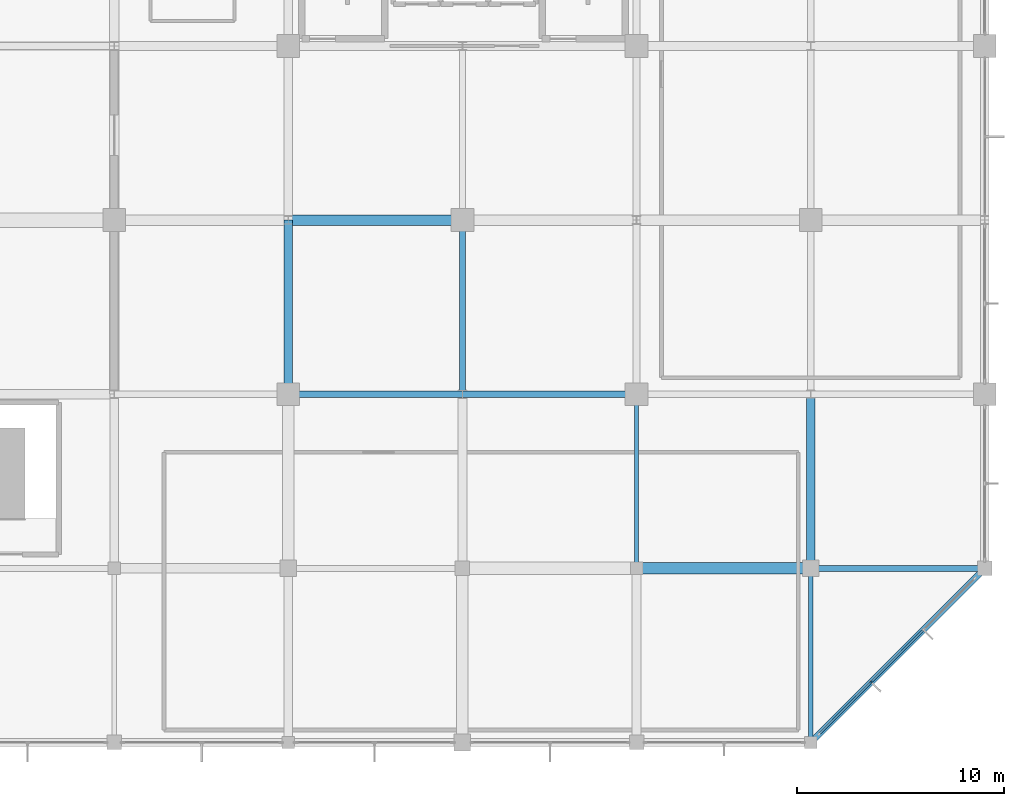
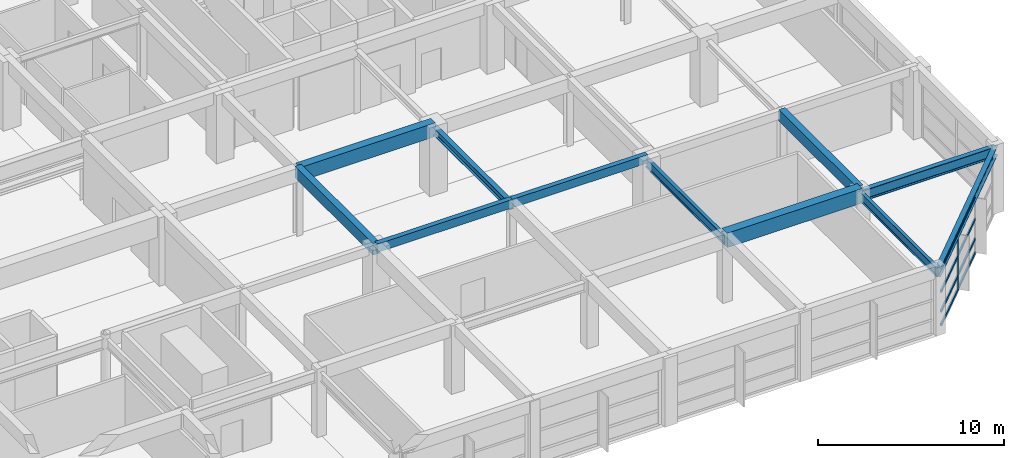
# One storey, part 28 of 56: 11 beams, 9 members, 1 element without a shape of its own.
"""IFC4 building model written with IfcOpenShell, lengths in metres."""

from ifc_helpers import new_model, si_unit, direction, frame, origin, origin_2d, place, context, subcontext, project, spatial, rectangle, i_section, extrude, material, material_profile, profile_set, type_object, element, aggregate, save


model = new_model("IFC4")

# Units and contexts
model_context = context("Model", 3, precision=1e-05, world=origin(), true_north=direction((0.0, 1.0)))
body_context = subcontext(model_context, "Body", "Model", "MODEL_VIEW")
ifc_project = project(units=[si_unit("LENGTHUNIT", "METRE"), si_unit("AREAUNIT", "SQUARE_METRE"), si_unit("VOLUMEUNIT", "CUBIC_METRE"), si_unit("PLANEANGLEUNIT", "RADIAN"), si_unit("MASSUNIT", "GRAM", prefix="KILO")], contexts=[model_context])

# Site, building, storey
site_placement = place(None, origin())
site = spatial("IfcSite", under=ifc_project, at=site_placement, CompositionType="ELEMENT")
building_placement = place(site_placement, origin())
building = spatial("IfcBuilding", under=site, at=building_placement, Name="Xuanlan Plaza Opera House", CompositionType="ELEMENT")
storey_placement = place(building_placement, frame((0.0, 0.0, 18.89990234375)))
storey = spatial("IfcBuildingStorey", under=building, at=storey_placement, Name="L04", CompositionType="ELEMENT", Elevation=18.89990234375)

# Curtain wall, members
ifc_material_1 = material(Name="Anodised Aluminium 6063-T6 and Low-E Glass", Category="aluminium")
curtain_wall_type = type_object("IfcCurtainWallType", Name="ENV-CW-CW-03", PredefinedType="USERDEFINED", material=ifc_material_1)
curtain_wall_placement = place(storey_placement, origin())
curtain_wall = element("IfcCurtainWall", 1, at=curtain_wall_placement, inside=storey, type_object=curtain_wall_type, Name="Unitised Curtain Wall L04-017", ObjectType="UNITISED CURTAIN WALL", PredefinedType="USERDEFINED")
ifc_material_2 = material(Name="Anodised Aluminium 6063-T6", Category="aluminium")
ifc_material_profile_1 = material_profile(ifc_material_2, rectangle(XDim=0.074951171875, YDim=0.199951171875, at=origin_2d()), Name="ALU-M 75x200")
ifc_profile_set_1 = profile_set([ifc_material_profile_1], Name="Anodised Aluminium 6063-T6")
member_type_1 = type_object("IfcMemberType", Name="ENV-CWM-03", PredefinedType="MULLION", material=ifc_profile_set_1)
member_1_placement = place(storey_placement, frame((162.516357421875, 19.71630859375, 0.0), z_axis=(0.0, 0.0, 1.0), x_axis=(-0.707106781187, 0.707106781187, 0.0)))
member_1 = element("IfcMember", 2, at=member_1_placement, type_object=member_type_1, Name="CW-03 mullion 2", PredefinedType="MULLION", context=body_context, shape_type="SweptSolid", body=[
    extrude(rectangle(XDim=0.074951171875, YDim=0.199951171875, at=origin_2d()), origin(), (0.0, 0.0, 1.0), 3.68017578125),
])
ifc_material_profile_2 = material_profile(ifc_material_2, rectangle(XDim=0.090087890625, YDim=0.179931640625, at=origin_2d()), Name="ALU-T 90x180")
ifc_profile_set_2 = profile_set([ifc_material_profile_2], Name="Anodised Aluminium 6063-T6")
member_type_2 = type_object("IfcMemberType", Name="ENV-CWT-05", PredefinedType="USERDEFINED", material=ifc_profile_set_2)
member_2_placement = place(storey_placement, frame((160.052001953125, 17.251953125, 0.045166015625), z_axis=(0.707106781187, 0.707106781187, 0.0), x_axis=(-0.707106781187, 0.707106781187, 0.0)))
member_2 = element("IfcMember", 3, at=member_2_placement, type_object=member_type_2, Name="CW-03 transom 1.1", ObjectType="TRANSOM", PredefinedType="USERDEFINED", context=body_context, shape_type="SweptSolid", body=[
    extrude(rectangle(XDim=0.090087890625, YDim=0.179931640625, at=origin_2d()), origin(), (0.0, 0.0, 1.0), 3.447509765625),
])
member_3_placement = place(storey_placement, frame((160.052001953125, 17.251953125, 0.9501953125), z_axis=(0.707106781187, 0.707106781187, 0.0), x_axis=(-0.707106781187, 0.707106781187, 0.0)))
member_3 = element("IfcMember", 4, at=member_3_placement, type_object=member_type_2, Name="CW-03 transom 1.2", ObjectType="TRANSOM", PredefinedType="USERDEFINED", context=body_context, shape_type="SweptSolid", body=[
    extrude(rectangle(XDim=0.090087890625, YDim=0.179931640625, at=origin_2d()), origin(), (0.0, 0.0, 1.0), 3.447509765625),
])
member_4_placement = place(storey_placement, frame((160.052001953125, 17.251953125, 2.25), z_axis=(0.707106781187, 0.707106781187, 0.0), x_axis=(-0.707106781187, 0.707106781187, 0.0)))
member_4 = element("IfcMember", 5, at=member_4_placement, type_object=member_type_2, Name="CW-03 transom 1.3", ObjectType="TRANSOM", PredefinedType="USERDEFINED", context=body_context, shape_type="SweptSolid", body=[
    extrude(rectangle(XDim=0.090087890625, YDim=0.179931640625, at=origin_2d()), origin(), (0.0, 0.0, 1.0), 3.447509765625),
])
member_5_placement = place(storey_placement, frame((160.052001953125, 17.251953125, 3.635009765625), z_axis=(0.707106781187, 0.707106781187, 0.0), x_axis=(-0.707106781187, 0.707106781187, 0.0)))
member_5 = element("IfcMember", 6, at=member_5_placement, type_object=member_type_2, Name="CW-03 transom 1.4", ObjectType="TRANSOM", PredefinedType="USERDEFINED", context=body_context, shape_type="SweptSolid", body=[
    extrude(rectangle(XDim=0.090087890625, YDim=0.179931640625, at=origin_2d()), origin(), (0.0, 0.0, 1.0), 3.447509765625),
])
member_6_placement = place(storey_placement, frame((162.54296875, 19.742919921875, 0.045166015625), z_axis=(0.707106781187, 0.707106781187, 0.0), x_axis=(-0.707106781187, 0.707106781187, 0.0)))
member_6 = element("IfcMember", 7, at=member_6_placement, type_object=member_type_2, Name="CW-03 transom 2.1", ObjectType="TRANSOM", PredefinedType="USERDEFINED", context=body_context, shape_type="SweptSolid", body=[
    extrude(rectangle(XDim=0.090087890625, YDim=0.179931640625, at=origin_2d()), origin(), (0.0, 0.0, 1.0), 3.48486328125),
])
member_7_placement = place(storey_placement, frame((162.54296875, 19.742919921875, 0.9501953125), z_axis=(0.707106781187, 0.707106781187, 0.0), x_axis=(-0.707106781187, 0.707106781187, 0.0)))
member_7 = element("IfcMember", 8, at=member_7_placement, type_object=member_type_2, Name="CW-03 transom 2.2", ObjectType="TRANSOM", PredefinedType="USERDEFINED", context=body_context, shape_type="SweptSolid", body=[
    extrude(rectangle(XDim=0.090087890625, YDim=0.179931640625, at=origin_2d()), origin(), (0.0, 0.0, 1.0), 3.48486328125),
])
member_8_placement = place(storey_placement, frame((162.54296875, 19.742919921875, 2.25), z_axis=(0.707106781187, 0.707106781187, 0.0), x_axis=(-0.707106781187, 0.707106781187, 0.0)))
member_8 = element("IfcMember", 9, at=member_8_placement, type_object=member_type_2, Name="CW-03 transom 2.3", ObjectType="TRANSOM", PredefinedType="USERDEFINED", context=body_context, shape_type="SweptSolid", body=[
    extrude(rectangle(XDim=0.090087890625, YDim=0.179931640625, at=origin_2d()), origin(), (0.0, 0.0, 1.0), 3.48486328125),
])
member_9_placement = place(storey_placement, frame((162.54296875, 19.742919921875, 3.635009765625), z_axis=(0.707106781187, 0.707106781187, 0.0), x_axis=(-0.707106781187, 0.707106781187, 0.0)))
member_9 = element("IfcMember", 10, at=member_9_placement, type_object=member_type_2, Name="CW-03 transom 2.4", ObjectType="TRANSOM", PredefinedType="USERDEFINED", context=body_context, shape_type="SweptSolid", body=[
    extrude(rectangle(XDim=0.090087890625, YDim=0.179931640625, at=origin_2d()), origin(), (0.0, 0.0, 1.0), 3.48486328125),
])
aggregate(curtain_wall, [member_1, member_2, member_3, member_4, member_5, member_6, member_7, member_8, member_9])

# Beams
ifc_material_3 = material(Name="Concrete C50", Category="concrete")
ifc_material_profile_3 = material_profile(ifc_material_3, rectangle(XDim=0.550048828125, YDim=0.949951171875, at=origin_2d()), Name="RC-BM 550x950")
ifc_profile_set_3 = profile_set([ifc_material_profile_3], Name="Concrete C50")
beam_type_1 = type_object("IfcBeamType", Name="STR-BM-B-02", PredefinedType="BEAM", material=ifc_profile_set_3)
beam_1_placement = place(storey_placement, frame((151.199951171875, 25.199951171875, 4.025146484375), z_axis=(1.0, 0.0, 0.0), x_axis=(0.0, 1.0, 0.0)))
element("IfcBeam", 11, at=beam_1_placement, inside=storey, type_object=beam_type_1, Name="Grid Beam X L04 19-20/D", PredefinedType="BEAM", context=body_context, shape_type="SweptSolid", body=[
    extrude(rectangle(XDim=0.550048828125, YDim=0.949951171875, at=origin_2d()), origin(), (0.0, 0.0, 1.0), 8.400146484375),
])
ifc_material_4 = material(Name="Concrete C40", Category="concrete")
ifc_material_profile_4 = material_profile(ifc_material_4, rectangle(XDim=0.5, YDim=0.89990234375, at=origin_2d()), Name="RC-BM 500x900")
ifc_profile_set_4 = profile_set([ifc_material_profile_4], Name="Concrete C40")
beam_type_2 = type_object("IfcBeamType", Name="STR-BM-B-03", PredefinedType="BEAM", material=ifc_profile_set_4)
beam_2_placement = place(storey_placement, frame((134.39990234375, 42.0, 4.050048828125), z_axis=(1.0, 0.0, 0.0), x_axis=(0.0, 1.0, 0.0)))
element("IfcBeam", 12, at=beam_2_placement, inside=storey, type_object=beam_type_2, Name="Grid Beam X L04 17-18/F", PredefinedType="BEAM", context=body_context, shape_type="SweptSolid", body=[
    extrude(rectangle(XDim=0.5, YDim=0.89990234375, at=origin_2d()), origin(), (0.0, 0.0, 1.0), 8.400146484375),
])
ifc_material_profile_5 = material_profile(ifc_material_4, rectangle(XDim=0.39990234375, YDim=0.75, at=origin_2d()), Name="RC-BM 400x750")
ifc_profile_set_5 = profile_set([ifc_material_profile_5], Name="Concrete C40")
beam_type_3 = type_object("IfcBeamType", Name="STR-BM-B-06", PredefinedType="BEAM", material=ifc_profile_set_5)
beam_3_placement = place(storey_placement, frame((134.39990234375, 33.60009765625, 4.125), z_axis=(0.0, 1.0, 0.0), x_axis=(-1.0, 0.0, 0.0)))
element("IfcBeam", 13, at=beam_3_placement, inside=storey, type_object=beam_type_3, Name="Grid Beam Y L04 17/E-F", PredefinedType="BEAM", context=body_context, shape_type="SweptSolid", body=[
    extrude(rectangle(XDim=0.39990234375, YDim=0.75, at=origin_2d()), origin(), (0.0, 0.0, 1.0), 8.39990234375),
])
beam_4_placement = place(storey_placement, frame((159.60009765625, 25.199951171875, 4.125), z_axis=(0.0, 1.0, 0.0), x_axis=(-1.0, 0.0, 0.0)))
element("IfcBeam", 14, at=beam_4_placement, inside=storey, type_object=beam_type_3, Name="Grid Beam Y L04 20/D-E", PredefinedType="BEAM", context=body_context, shape_type="SweptSolid", body=[
    extrude(rectangle(XDim=0.39990234375, YDim=0.75, at=origin_2d()), origin(), (0.0, 0.0, 1.0), 8.400146484375),
])
ifc_material_profile_6 = material_profile(ifc_material_4, rectangle(XDim=0.300048828125, YDim=0.550048828125, at=origin_2d()), Name="RC-BM 300x550")
ifc_profile_set_6 = profile_set([ifc_material_profile_6], Name="Concrete C40")
beam_type_4 = type_object("IfcBeamType", Name="STR-BM-B-09", PredefinedType="BEAM", material=ifc_profile_set_6)
beam_5_placement = place(storey_placement, frame((134.39990234375, 33.60009765625, 4.22509765625), z_axis=(1.0, 0.0, 0.0), x_axis=(0.0, 1.0, 0.0)))
element("IfcBeam", 15, at=beam_5_placement, inside=storey, type_object=beam_type_4, Name="Grid Beam X L04 17-18/E", PredefinedType="BEAM", context=body_context, shape_type="SweptSolid", body=[
    extrude(rectangle(XDim=0.300048828125, YDim=0.550048828125, at=origin_2d()), origin(), (0.0, 0.0, 1.0), 8.400146484375),
])
beam_6_placement = place(storey_placement, frame((142.800048828125, 33.60009765625, 4.22509765625), z_axis=(1.0, 0.0, 0.0), x_axis=(0.0, 1.0, 0.0)))
element("IfcBeam", 16, at=beam_6_placement, inside=storey, type_object=beam_type_4, Name="Grid Beam X L04 18-19/E", PredefinedType="BEAM", context=body_context, shape_type="SweptSolid", body=[
    extrude(rectangle(XDim=0.300048828125, YDim=0.550048828125, at=origin_2d()), origin(), (0.0, 0.0, 1.0), 8.39990234375),
])
ifc_material_5 = material(Name="Steel Q355B", Category="steel")
ifc_material_profile_7 = material_profile(ifc_material_5, i_section(OverallWidth=0.300048828125, OverallDepth=0.699951171875, WebThickness=0.012939453125, FlangeThickness=0.02392578125, FilletRadius=0.02392578125, at=origin_2d()), Name="HN 700x300x13x24")
ifc_profile_set_7 = profile_set([ifc_material_profile_7], Name="Steel Q355B")
beam_type_5 = type_object("IfcBeamType", Name="STR-BM-SB-03", PredefinedType="BEAM", material=ifc_profile_set_7)
beam_7_placement = place(storey_placement, frame((159.60009765625, 25.199951171875, 3.885009765625), z_axis=(1.0, 0.0, 0.0), x_axis=(0.0, 1.0, 0.0)))
element("IfcBeam", 17, at=beam_7_placement, inside=storey, type_object=beam_type_5, Name="Grid Beam X L04 20-21/D", PredefinedType="BEAM", context=body_context, shape_type="SweptSolid", body=[
    extrude(i_section(OverallWidth=0.300048828125, OverallDepth=0.699951171875, WebThickness=0.012939453125, FlangeThickness=0.02392578125, FilletRadius=0.02392578125, at=origin_2d()), origin(), (0.0, 0.0, 1.0), 8.39990234375),
])
ifc_material_profile_8 = material_profile(ifc_material_5, i_section(OverallWidth=0.199951171875, OverallDepth=0.60009765625, WebThickness=0.010986328125, FlangeThickness=0.01708984375, FilletRadius=0.02197265625, at=origin_2d()), Name="HN 600x200x11x17")
ifc_profile_set_8 = profile_set([ifc_material_profile_8], Name="Steel Q355B")
beam_type_6 = type_object("IfcBeamType", Name="STR-BM-SB-04", PredefinedType="BEAM", material=ifc_profile_set_8)
beam_8_placement = place(storey_placement, frame((151.199951171875, 25.199951171875, 3.93505859375), z_axis=(0.0, 1.0, 0.0), x_axis=(-1.0, 0.0, 0.0)))
element("IfcBeam", 18, at=beam_8_placement, inside=storey, type_object=beam_type_6, Name="Grid Beam Y L04 19/D-E", PredefinedType="BEAM", context=body_context, shape_type="SweptSolid", body=[
    extrude(i_section(OverallWidth=0.199951171875, OverallDepth=0.60009765625, WebThickness=0.010986328125, FlangeThickness=0.01708984375, FilletRadius=0.02197265625, at=origin_2d()), origin(), (0.0, 0.0, 1.0), 8.400146484375),
])
beam_9_placement = place(storey_placement, frame((159.60009765625, 16.800048828125, 3.93505859375), z_axis=(0.0, 1.0, 0.0), x_axis=(-1.0, 0.0, 0.0)))
element("IfcBeam", 19, at=beam_9_placement, inside=storey, type_object=beam_type_6, Name="Grid Beam Y L04 20/C-D", PredefinedType="BEAM", context=body_context, shape_type="SweptSolid", body=[
    extrude(i_section(OverallWidth=0.199951171875, OverallDepth=0.60009765625, WebThickness=0.010986328125, FlangeThickness=0.01708984375, FilletRadius=0.02197265625, at=origin_2d()), origin(), (0.0, 0.0, 1.0), 8.39990234375),
])
ifc_material_profile_9 = material_profile(ifc_material_5, i_section(OverallWidth=0.300048828125, OverallDepth=0.488037109375, WebThickness=0.010986328125, FlangeThickness=0.01806640625, FilletRadius=0.02197265625, at=origin_2d()), Name="HM 488x300x11x18")
ifc_profile_set_9 = profile_set([ifc_material_profile_9], Name="Steel Q355B")
beam_type_7 = type_object("IfcBeamType", Name="STR-BM-SB-07", PredefinedType="BEAM", material=ifc_profile_set_9)
beam_10_placement = place(storey_placement, frame((142.800048828125, 33.60009765625, 3.9912109375), z_axis=(0.0, 1.0, 0.0), x_axis=(-1.0, 0.0, 0.0)))
element("IfcBeam", 20, at=beam_10_placement, inside=storey, type_object=beam_type_7, Name="Grid Beam Y L04 18/E-F", PredefinedType="BEAM", context=body_context, shape_type="SweptSolid", body=[
    extrude(i_section(OverallWidth=0.300048828125, OverallDepth=0.488037109375, WebThickness=0.010986328125, FlangeThickness=0.01806640625, FilletRadius=0.02197265625, at=origin_2d()), origin(), (0.0, 0.0, 1.0), 8.39990234375),
])
ifc_material_profile_10 = material_profile(ifc_material_5, i_section(OverallWidth=0.300048828125, OverallDepth=0.587890625, WebThickness=0.011962890625, FlangeThickness=0.02001953125, FilletRadius=0.02392578125, at=origin_2d()), Name="HM 588x300x12x20")
ifc_profile_set_10 = profile_set([ifc_material_profile_10], Name="Steel Q355B")
beam_type_8 = type_object("IfcBeamType", Name="STR-BM-SP-03", PredefinedType="SPANDREL", material=ifc_profile_set_10)
beam_11_placement = place(storey_placement, frame((168.0, 25.199951171875, 3.941162109375), z_axis=(-0.707106781187, -0.707106781187, 0.0), x_axis=(0.707106781187, -0.707106781187, 0.0)))
element("IfcBeam", 21, at=beam_11_placement, inside=storey, type_object=beam_type_8, Name="Faceted Edge Spandrel L04 CH11", PredefinedType="SPANDREL", context=body_context, shape_type="SweptSolid", body=[
    extrude(i_section(OverallWidth=0.300048828125, OverallDepth=0.587890625, WebThickness=0.011962890625, FlangeThickness=0.02001953125, FilletRadius=0.02392578125, at=origin_2d()), origin(), (0.0, 0.0, 1.0), 11.879150390625),
])

save(model, "model.ifc")
